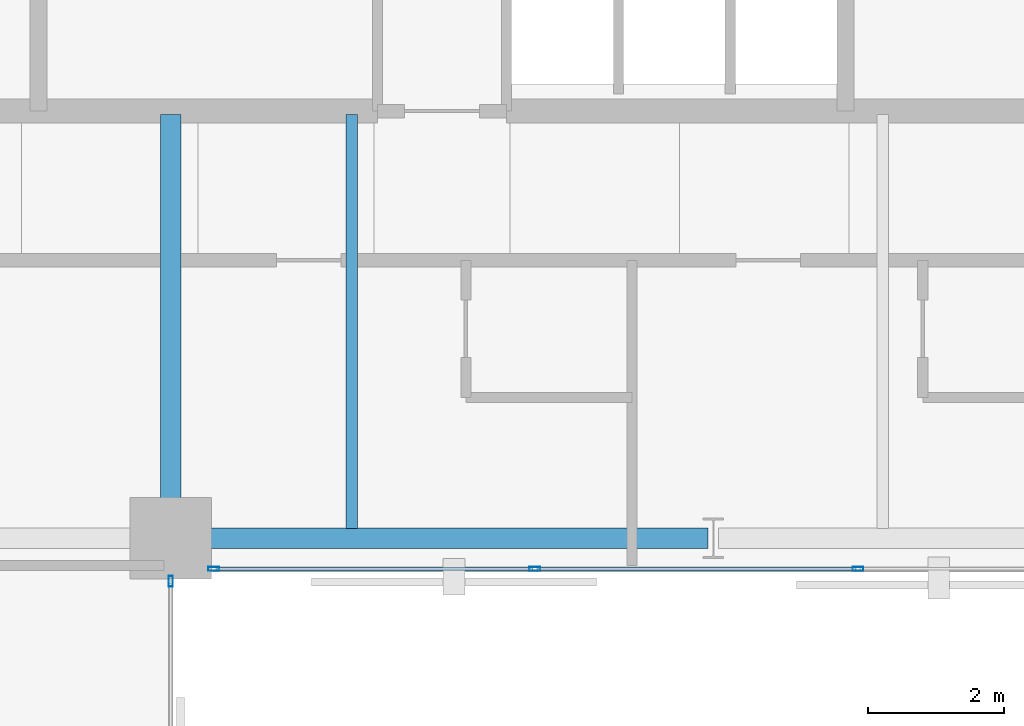
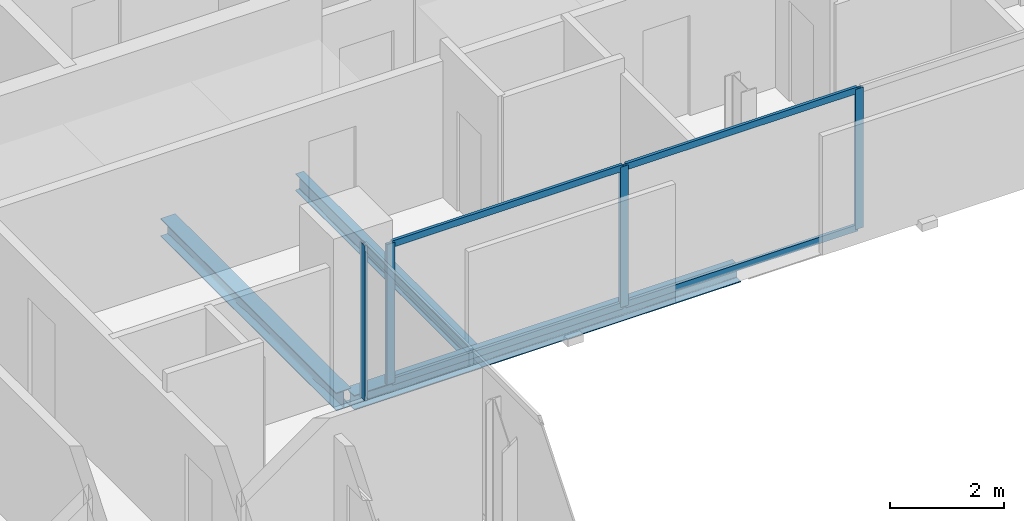
# One storey, part 13 of 32: 8 members, 3 beams, 2 elements without a shape of their own.
"""IFC4 building model written with IfcOpenShell, lengths in metres."""

from ifc_helpers import new_model, si_unit, direction, frame, origin, origin_2d, place, context, subcontext, project, spatial, hollow_rectangle, i_section, extrude, material, layer, layer_set, material_profile, profile_set, type_object, element, aggregate, save


model = new_model("IFC4")

# Units and contexts
model_context = context("Model", 3, precision=1e-05, world=origin(), true_north=direction((0.0, 1.0)))
body_context = subcontext(model_context, "Body", "Model", "MODEL_VIEW")
ifc_project = project(units=[si_unit("LENGTHUNIT", "METRE"), si_unit("AREAUNIT", "SQUARE_METRE"), si_unit("VOLUMEUNIT", "CUBIC_METRE"), si_unit("PLANEANGLEUNIT", "RADIAN"), si_unit("MASSUNIT", "GRAM", prefix="KILO")], contexts=[model_context])

# Site, building, storey
site_placement = place(None, origin())
site = spatial("IfcSite", under=ifc_project, at=site_placement, CompositionType="ELEMENT")
building_placement = place(site_placement, origin())
building = spatial("IfcBuilding", under=site, at=building_placement, Name="Catumbela Crestline Tower", CompositionType="ELEMENT")
storey_placement = place(building_placement, frame((0.0, 0.0, 136.8)))
storey = spatial("IfcBuildingStorey", under=building, at=storey_placement, Name="L35", CompositionType="ELEMENT", Elevation=136.8)

# Beams
ifc_material_1 = material(Name="Structural steel S355J2", Category="steel")
ifc_material_profile_1 = material_profile(ifc_material_1, i_section(OverallWidth=0.3, OverallDepth=0.39, WebThickness=0.011, FlangeThickness=0.019, FilletRadius=0.027, at=origin_2d()), Name="HEA 400")
ifc_profile_set_1 = profile_set([ifc_material_profile_1], Name="Structural steel S355J2")
beam_type_1 = type_object("IfcBeamType", Name="BG-HEA400", PredefinedType="BEAM", material=ifc_profile_set_1)
beam_1_placement = place(storey_placement, frame((24.0, 24.58, -0.455), z_axis=(0.0, 1.0, 0.0), x_axis=(-1.0, 0.0, 0.0)))
element("IfcBeam", 1, at=beam_1_placement, inside=storey, type_object=beam_type_1, Name="L35 Beam BM-L35-SNS29", PredefinedType="BEAM", context=body_context, shape_type="SweptSolid", body=[
    extrude(i_section(OverallWidth=0.3, OverallDepth=0.39, WebThickness=0.011, FlangeThickness=0.019, FilletRadius=0.027, at=origin_2d()), origin(), (0.0, 0.0, 1.0), 6.17),
])
ifc_material_profile_2 = material_profile(ifc_material_1, i_section(OverallWidth=0.17, OverallDepth=0.36, WebThickness=0.008, FlangeThickness=0.0127, FilletRadius=0.018, at=origin_2d()), Name="IPE 360")
ifc_profile_set_2 = profile_set([ifc_material_profile_2], Name="Structural steel S355J2")
beam_type_2 = type_object("IfcBeamType", Name="BJ-IPE360", PredefinedType="JOIST", material=ifc_profile_set_2)
beam_2_placement = place(storey_placement, frame((26.667, 24.647, -0.44), z_axis=(0.0, 1.0, 0.0), x_axis=(-1.0, 0.0, 0.0)))
element("IfcBeam", 2, at=beam_2_placement, inside=storey, type_object=beam_type_2, Name="L35 Joist JS-L35-SP39", PredefinedType="JOIST", context=body_context, shape_type="SweptSolid", body=[
    extrude(i_section(OverallWidth=0.17, OverallDepth=0.36, WebThickness=0.008, FlangeThickness=0.0127, FilletRadius=0.018, at=origin_2d()), origin(), (0.0, 0.0, 1.0), 6.103),
])

# Curtain wall, member
ifc_material_2 = material(Name="Aluminium alloy AW-6060-T66", Category="aluminium")
ifc_layer = layer(ifc_material_2, 0.18, Name="Aluminium alloy AW-6060-T66")
ifc_layer_set = layer_set([ifc_layer], Name="Aluminium alloy AW-6060-T66")
curtain_wall_type = type_object("IfcCurtainWallType", Name="CWU-Z2", PredefinedType="USERDEFINED", material=ifc_layer_set)
curtain_wall_1_placement = place(storey_placement, origin())
curtain_wall_1 = element("IfcCurtainWall", 3, at=curtain_wall_1_placement, inside=storey, type_object=curtain_wall_type, Name="L35 Unitised Curtain Wall CW-L35-E2S1", ObjectType="UNITISED", PredefinedType="USERDEFINED")
ifc_material_profile_3 = material_profile(ifc_material_2, hollow_rectangle(XDim=0.06, YDim=0.16, WallThickness=0.004, at=origin_2d()), Name="ALU 160x60x4")
ifc_profile_set_3 = profile_set([ifc_material_profile_3], Name="Aluminium alloy AW-6060-T66")
member_type_1 = type_object("IfcMemberType", Name="MUL-160X60", PredefinedType="MULLION", material=ifc_profile_set_3)
member_1_placement = place(storey_placement, frame((24.0, 23.8675, 0.0), z_axis=(0.0, 0.0, 1.0), x_axis=(-1.0, 0.0, 0.0)))
member_1 = element("IfcMember", 4, at=member_1_placement, type_object=member_type_1, Name="CWU-Z2 mullion 5", PredefinedType="MULLION", context=body_context, shape_type="SweptSolid", body=[
    extrude(hollow_rectangle(XDim=0.06, YDim=0.16, WallThickness=0.004, at=origin_2d()), origin(), (0.0, 0.0, 1.0), 3.33),
])
aggregate(curtain_wall_1, [member_1])

# Curtain wall, members
curtain_wall_2_placement = place(storey_placement, origin())
curtain_wall_2 = element("IfcCurtainWall", 5, at=curtain_wall_2_placement, inside=storey, type_object=curtain_wall_type, Name="L35 Unitised Curtain Wall CW-L35-E3S1", ObjectType="UNITISED", PredefinedType="USERDEFINED")
member_2_placement = place(storey_placement, frame((24.6325, 24.05, 0.0), z_axis=(0.0, 0.0, 1.0), x_axis=(0.0, 1.0, 0.0)))
member_2 = element("IfcMember", 6, at=member_2_placement, type_object=member_type_1, Name="CWU-Z2 mullion 1", PredefinedType="MULLION", context=body_context, shape_type="SweptSolid", body=[
    extrude(hollow_rectangle(XDim=0.06, YDim=0.16, WallThickness=0.004, at=origin_2d()), origin(), (0.0, 0.0, 1.0), 3.01),
])
member_3_placement = place(storey_placement, frame((29.3667, 24.05, 0.0), z_axis=(0.0, 0.0, 1.0), x_axis=(0.0, 1.0, 0.0)))
member_3 = element("IfcMember", 7, at=member_3_placement, type_object=member_type_1, Name="CWU-Z2 mullion 2", PredefinedType="MULLION", context=body_context, shape_type="SweptSolid", body=[
    extrude(hollow_rectangle(XDim=0.06, YDim=0.16, WallThickness=0.004, at=origin_2d()), origin(), (0.0, 0.0, 1.0), 3.01),
])
member_4_placement = place(storey_placement, frame((34.1333, 24.05, 0.0), z_axis=(0.0, 0.0, 1.0), x_axis=(0.0, 1.0, 0.0)))
member_4 = element("IfcMember", 8, at=member_4_placement, type_object=member_type_1, Name="CWU-Z2 mullion 3", PredefinedType="MULLION", context=body_context, shape_type="SweptSolid", body=[
    extrude(hollow_rectangle(XDim=0.06, YDim=0.16, WallThickness=0.004, at=origin_2d()), origin(), (0.0, 0.0, 1.0), 3.01),
])

# Beam
ifc_material_profile_4 = material_profile(ifc_material_1, i_section(OverallWidth=0.3, OverallDepth=0.31, WebThickness=0.009, FlangeThickness=0.0155, FilletRadius=0.027, at=origin_2d()), Name="HEA 320")
ifc_profile_set_4 = profile_set([ifc_material_profile_4], Name="Structural steel S355J2")
beam_type_3 = type_object("IfcBeamType", Name="BS-HEA320", PredefinedType="SPANDREL", material=ifc_profile_set_4)
beam_3_placement = place(storey_placement, frame((24.08, 24.5, -0.415), z_axis=(1.0, 0.0, 0.0), x_axis=(0.0, 1.0, 0.0)))
element("IfcBeam", 9, at=beam_3_placement, inside=storey, type_object=beam_type_3, Name="L35 Spandrel SP-L35-S05", PredefinedType="SPANDREL", context=body_context, shape_type="SweptSolid", body=[
    extrude(i_section(OverallWidth=0.3, OverallDepth=0.31, WebThickness=0.009, FlangeThickness=0.0155, FilletRadius=0.027, at=origin_2d()), origin(), (0.0, 0.0, 1.0), 7.84),
])

# Member
ifc_material_profile_5 = material_profile(ifc_material_2, hollow_rectangle(XDim=0.06, YDim=0.14, WallThickness=0.004, at=origin_2d()), Name="ALU 140x60x4")
ifc_profile_set_5 = profile_set([ifc_material_profile_5], Name="Aluminium alloy AW-6060-T66")
member_type_2 = type_object("IfcMemberType", Name="TRN-140X60", PredefinedType="USERDEFINED", material=ifc_profile_set_5)
member_5_placement = place(storey_placement, frame((24.665, 24.05, 0.03), z_axis=(1.0, 0.0, 0.0), x_axis=(0.0, 1.0, 0.0)))
member_5 = element("IfcMember", 10, at=member_5_placement, type_object=member_type_2, Name="CWU-Z2 transom 1.1", ObjectType="TRANSOM", PredefinedType="USERDEFINED", context=body_context, shape_type="SweptSolid", body=[
    extrude(hollow_rectangle(XDim=0.06, YDim=0.14, WallThickness=0.004, at=origin_2d()), origin(), (0.0, 0.0, 1.0), 4.6692),
])

member_6_placement = place(storey_placement, frame((24.665, 24.05, 2.98), z_axis=(1.0, 0.0, 0.0), x_axis=(0.0, 1.0, 0.0)))
member_6 = element("IfcMember", 11, at=member_6_placement, type_object=member_type_2, Name="CWU-Z2 transom 1.2", ObjectType="TRANSOM", PredefinedType="USERDEFINED", context=body_context, shape_type="SweptSolid", body=[
    extrude(hollow_rectangle(XDim=0.06, YDim=0.14, WallThickness=0.004, at=origin_2d()), origin(), (0.0, 0.0, 1.0), 4.6692),
])

member_7_placement = place(storey_placement, frame((29.3992, 24.05, 0.03), z_axis=(1.0, 0.0, 0.0), x_axis=(0.0, 1.0, 0.0)))
member_7 = element("IfcMember", 12, at=member_7_placement, type_object=member_type_2, Name="CWU-Z2 transom 2.1", ObjectType="TRANSOM", PredefinedType="USERDEFINED", context=body_context, shape_type="SweptSolid", body=[
    extrude(hollow_rectangle(XDim=0.06, YDim=0.14, WallThickness=0.004, at=origin_2d()), origin(), (0.0, 0.0, 1.0), 4.7016),
])

member_8_placement = place(storey_placement, frame((29.3992, 24.05, 2.98), z_axis=(1.0, 0.0, 0.0), x_axis=(0.0, 1.0, 0.0)))
member_8 = element("IfcMember", 13, at=member_8_placement, type_object=member_type_2, Name="CWU-Z2 transom 2.2", ObjectType="TRANSOM", PredefinedType="USERDEFINED", context=body_context, shape_type="SweptSolid", body=[
    extrude(hollow_rectangle(XDim=0.06, YDim=0.14, WallThickness=0.004, at=origin_2d()), origin(), (0.0, 0.0, 1.0), 4.7016),
])

aggregate(curtain_wall_2, [member_2, member_3, member_4, member_5, member_6, member_7, member_8])

save(model, "model.ifc")
